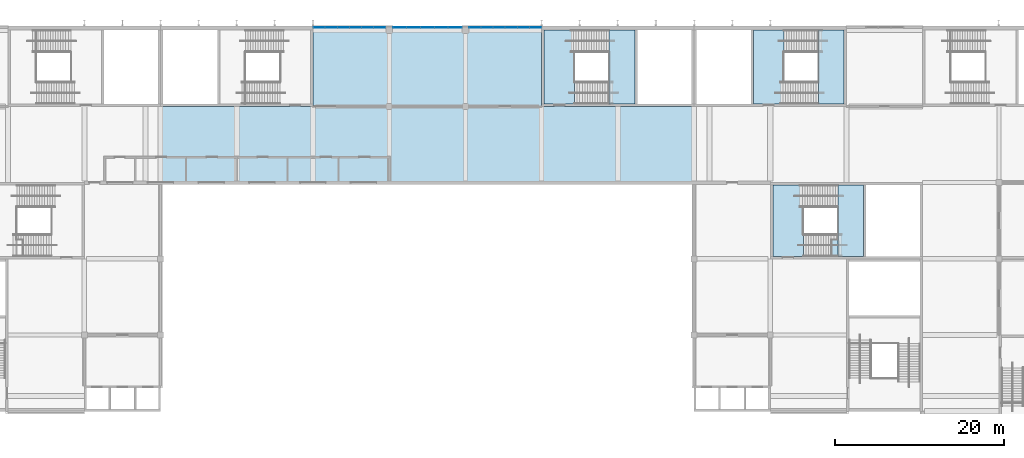
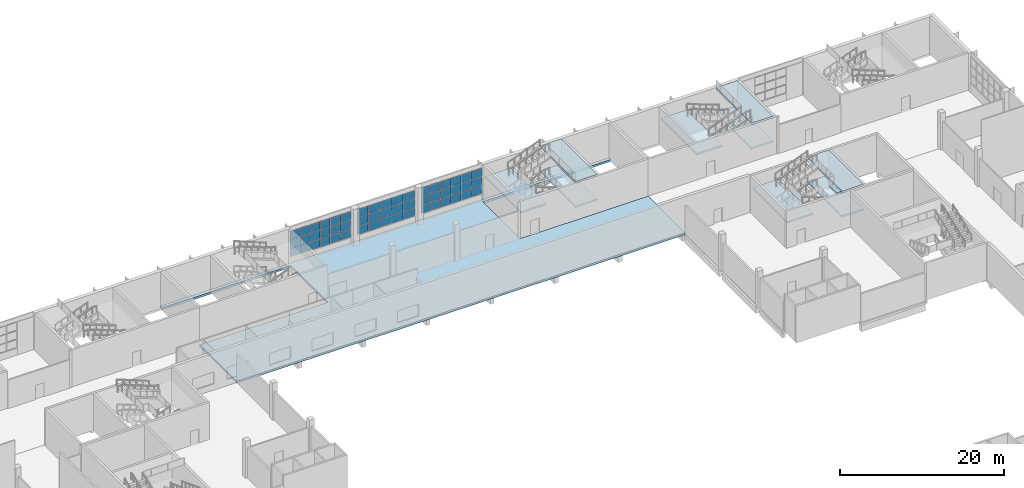
# One storey, part 29 of 84: 51 plates, 11 slabs, 6 elements without a shape of their own.
"""IFC4 building model written with IfcOpenShell, lengths in metres."""

import ifcopenshell
import ifcopenshell.guid

model = None  # the IFC model being written
_history = None  # IfcOwnerHistory: only IFC2X3 demands one
_inside = {}  # id of a spatial element -> (the spatial element, [elements in it])
_under = {}  # id of a project, library or spatial element -> (it, [spatial elements below it])
_declared = {}  # id of a project -> (the project, [libraries it declares])
_typed = {}  # id of a type object -> (the type object, [elements of that type])
_made_of = {}  # id of a material, layer set ... -> (it, [elements and type objects made of it])


def new_model(schema):
    """Start an empty IFC model of exactly this schema.

    Asked for "IFC4X3", IfcOpenShell would pick the latest addendum, in which some entities
    have other attributes; the version numbers below select the first issue.
    IFC2X3 requires an IfcOwnerHistory on every rooted entity: one is made here for all.
    """
    global model, _history
    if schema == "IFC4X3":
        model = ifcopenshell.file(schema_version=(4, 3, 0, 0))
    else:
        model = ifcopenshell.file(schema=schema)
    _inside.clear()
    _under.clear()
    _declared.clear()
    _typed.clear()
    _made_of.clear()
    _history = None
    if model.schema == "IFC2X3":
        org = make("IfcOrganization", Name="unknown")
        user = make(
            "IfcPersonAndOrganization",
            ThePerson=make("IfcPerson", FamilyName="unknown"),
            TheOrganization=org,
        )
        app = make(
            "IfcApplication",
            ApplicationDeveloper=org,
            Version="unknown",
            ApplicationFullName="unknown",
            ApplicationIdentifier="unknown",
        )
        _history = make(
            "IfcOwnerHistory",
            OwningUser=user,
            OwningApplication=app,
            ChangeAction="ADDED",
            CreationDate=0,
        )
    return model


def make(cls, **values):
    """One entity of the class cls with the attributes given. An attribute that is None is left unset."""
    return model.create_entity(
        cls, **{name: value for name, value in values.items() if value is not None}
    )


def rooted(cls, **values):
    """An entity with a GlobalId (a new one), such as an element, a storey or a relation."""
    return make(cls, GlobalId=ifcopenshell.guid.new(), OwnerHistory=_history, **values)


def si_unit(unit_type, name, prefix=None):
    """IfcSIUnit, for example si_unit("LENGTHUNIT", "METRE", prefix="MILLI")."""
    return make("IfcSIUnit", UnitType=unit_type, Prefix=prefix, Name=name)


def assignment(units):
    """IfcUnitAssignment: the units of a project."""
    return None if units is None else make("IfcUnitAssignment", Units=units)


def point(xyz):
    """IfcCartesianPoint."""
    return None if xyz is None else make("IfcCartesianPoint", Coordinates=xyz)


def direction(xyz):
    """IfcDirection."""
    return None if xyz is None else make("IfcDirection", DirectionRatios=xyz)


def frame(location, z_axis=None, x_axis=None):
    """IfcAxis2Placement3D, a coordinate frame: its origin and axes. An axis left out is left unset."""
    return make(
        "IfcAxis2Placement3D",
        Location=point(location),
        Axis=direction(z_axis),
        RefDirection=direction(x_axis),
    )


def frame_2d(location, x_axis=None):
    """IfcAxis2Placement2D, a coordinate frame in the plane: its origin and x axis."""
    return make(
        "IfcAxis2Placement2D", Location=point(location), RefDirection=direction(x_axis)
    )


def origin():
    """The frame at (0, 0, 0) with its axes left unset."""
    return frame((0.0, 0.0, 0.0))


def origin_2d():
    """The frame at (0, 0) in the plane with its x axis left unset."""
    return frame_2d((0.0, 0.0))


def place(relative_to, where):
    """IfcLocalPlacement: puts the frame where relative to a parent placement (None: the world)."""
    return make(
        "IfcLocalPlacement", PlacementRelTo=relative_to, RelativePlacement=where
    )


def context(
    kind, dimensions, precision=None, world=None, true_north=None, identifier=None
):
    """IfcGeometricRepresentationContext, for example the 3D "Model" context."""
    return make(
        "IfcGeometricRepresentationContext",
        ContextIdentifier=identifier,
        ContextType=kind,
        CoordinateSpaceDimension=dimensions,
        Precision=precision,
        WorldCoordinateSystem=world,
        TrueNorth=true_north,
    )


def subcontext(parent, identifier, kind, view, scale=None):
    """IfcGeometricRepresentationSubContext, for example "Body" below "Model"."""
    return make(
        "IfcGeometricRepresentationSubContext",
        ContextIdentifier=identifier,
        ContextType=kind,
        ParentContext=parent,
        TargetScale=scale,
        TargetView=view,
    )


def project(units=None, contexts=None):
    """IfcProject with its units and contexts."""
    return rooted(
        "IfcProject",
        Name="project",
        RepresentationContexts=contexts,
        UnitsInContext=assignment(units),
    )


def spatial(cls, under=None, at=None, **own):
    """A site, building, storey or space (cls), placed at a placement, below another one or the project."""
    s = rooted(cls, ObjectPlacement=at, **own)
    if under is not None:
        _under.setdefault(under.id(), (under, []))[1].append(s)
    return s


def polyline(points):
    """IfcPolyline through the points."""
    return make("IfcPolyline", Points=[point(p) for p in points])


def profile(cls, at=None, kind="AREA", **sizes):
    """A parametric profile (cls). Its sizes go by their IFC names, for example OverallWidth=200.0."""
    return make(cls, ProfileType=kind, Position=at, **sizes)


def rectangle(**sizes):
    """IfcRectangleProfileDef."""
    return profile("IfcRectangleProfileDef", **sizes)


def outline(outer, holes=None, kind="AREA"):
    """IfcArbitraryClosedProfileDef: a profile drawn as a closed curve; with holes, ...WithVoids."""
    if holes is None:
        return make("IfcArbitraryClosedProfileDef", ProfileType=kind, OuterCurve=outer)
    return make(
        "IfcArbitraryProfileDefWithVoids",
        ProfileType=kind,
        OuterCurve=outer,
        InnerCurves=holes,
    )


def extrude(swept, where, along, depth):
    """IfcExtrudedAreaSolid: the profile swept, set in the frame where, extruded along a direction by depth."""
    return make(
        "IfcExtrudedAreaSolid",
        SweptArea=swept,
        Position=where,
        ExtrudedDirection=direction(along),
        Depth=depth,
    )


def shape(context_of_items, identifier, shape_type, items):
    """IfcShapeRepresentation: the items that make up one representation, for example the "Body"."""
    return make(
        "IfcShapeRepresentation",
        ContextOfItems=context_of_items,
        RepresentationIdentifier=identifier,
        RepresentationType=shape_type,
        Items=items,
    )


def material(Name=None, Category=None):
    """IfcMaterial."""
    return make("IfcMaterial", Name=Name, Category=Category)


def layer(
    of_material, thickness, ventilated=None, Name=None, Category=None, Priority=None
):
    """IfcMaterialLayer: one layer of a wall or slab, of a material (None: an air gap)."""
    return make(
        "IfcMaterialLayer",
        Material=of_material,
        LayerThickness=thickness,
        IsVentilated=ventilated,
        Name=Name,
        Category=Category,
        Priority=Priority,
    )


def layer_set(layers, Name=None):
    """IfcMaterialLayerSet."""
    return make("IfcMaterialLayerSet", MaterialLayers=layers, LayerSetName=Name)


def made_of(thing, what):
    """Note that an element or type object is made of a material, layer set ...; save() writes the relation."""
    if what is not None:
        _made_of.setdefault(what.id(), (what, []))[1].append(thing)
    return thing


def type_object(cls, material=None, **own):
    """A type object (cls), such as IfcWallType, which elements share."""
    return made_of(rooted(cls, **own), material)


def element(
    cls,
    number,
    at=None,
    inside=None,
    cuts=None,
    type_object=None,
    material=None,
    context=None,
    identifier="Body",
    shape_type=None,
    held_by="IfcProductDefinitionShape",
    body=None,
    shapes=None,
    **own,
):
    """One element of the class cls, such as IfcWall. Its Tag is "e" and its number.

    at: its placement. inside: the storey or other place that contains it. cuts: it is an
    opening in that element (IfcRelVoidsElement). A single representation is given by context,
    identifier, shape_type and body (its items); several are given by shapes. held_by: the class
    of the entity that holds the representations. save() writes the other relations.
    """
    e = rooted(cls, Tag="e%d" % number, ObjectPlacement=at, **own)
    if body is not None:
        shapes = [shape(context, identifier, shape_type, body)]
    if shapes is not None:
        e.Representation = make(held_by, Representations=shapes)
    if inside is not None:
        _inside.setdefault(inside.id(), (inside, []))[1].append(e)
    if cuts is not None:
        rooted(
            "IfcRelVoidsElement", RelatingBuildingElement=cuts, RelatedOpeningElement=e
        )
    if type_object is not None:
        _typed.setdefault(type_object.id(), (type_object, []))[1].append(e)
    return made_of(e, material)


def aggregate(whole, parts):
    """IfcRelAggregates: a whole, such as a stair, and the parts it consists of."""
    return rooted("IfcRelAggregates", RelatingObject=whole, RelatedObjects=parts)


def save(model, path):
    """Write the relations noted so far, then the file.

    IfcRelAggregates (storeys below a building ...), IfcRelContainedInSpatialStructure (elements
    in a storey), IfcRelDefinesByType, IfcRelAssociatesMaterial and IfcRelDeclares: one each for
    every whole, place, type object, material and project.
    """
    for whole, parts in _under.values():
        aggregate(whole, parts)
    for where, things in _inside.values():
        rooted(
            "IfcRelContainedInSpatialStructure",
            RelatedElements=things,
            RelatingStructure=where,
        )
    for kind, things in _typed.values():
        rooted("IfcRelDefinesByType", RelatedObjects=things, RelatingType=kind)
    for what, things in _made_of.values():
        rooted("IfcRelAssociatesMaterial", RelatedObjects=things, RelatingMaterial=what)
    for by, libraries in _declared.values():
        rooted("IfcRelDeclares", RelatingContext=by, RelatedDefinitions=libraries)
    model.write(path)


model = new_model("IFC4")

# Units and contexts
model_context = context("Model", 3, precision=1e-05, world=origin(), true_north=direction((0.0, 1.0)))
body_context = subcontext(model_context, "Body", "Model", "MODEL_VIEW")
ifc_project = project(units=[si_unit("LENGTHUNIT", "METRE"), si_unit("AREAUNIT", "SQUARE_METRE"), si_unit("VOLUMEUNIT", "CUBIC_METRE"), si_unit("PLANEANGLEUNIT", "RADIAN"), si_unit("MASSUNIT", "GRAM", prefix="KILO")], contexts=[model_context])

# Site, building, storey
site_placement = place(None, origin())
site = spatial("IfcSite", under=ifc_project, at=site_placement, CompositionType="ELEMENT")
building_placement = place(site_placement, origin())
building = spatial("IfcBuilding", under=site, at=building_placement, Name="Silverbay Arena", CompositionType="ELEMENT")
storey_placement = place(building_placement, frame((0.0, 0.0, 28.0)))
storey = spatial("IfcBuildingStorey", under=building, at=storey_placement, Name="L04", CompositionType="ELEMENT", Elevation=28.0)

# Curtain wall, plates
ifc_material_1 = material(Name="Aluminium framed curtain wall", Category="aluminium")
curtain_wall_type_1 = type_object("IfcCurtainWallType", Name="Curtain wall 8600 x 3900", PredefinedType="NOTDEFINED", material=ifc_material_1)
curtain_wall_1_placement = place(storey_placement, origin())
curtain_wall_1 = element("IfcCurtainWall", 1, at=curtain_wall_1_placement, inside=storey, type_object=curtain_wall_type_1, Name="North curtain wall L04 bay 8", PredefinedType="NOTDEFINED")
ifc_material_2 = material(Name="Laminated glass", Category="glass")
ifc_layer_1 = layer(ifc_material_2, 0.028076171875)
ifc_layer_set_1 = layer_set([ifc_layer_1], Name="Laminated glass")
plate_type = type_object("IfcPlateType", Name="Glass panel 28", PredefinedType="CURTAIN_PANEL", material=ifc_layer_set_1)
plate_1_placement = place(storey_placement, frame((124.868408203125, 144.330078125, 1.050048828125), z_axis=(0.0, 0.0, 1.0), x_axis=(-1.0, 0.0, 0.0)))
plate_1 = element("IfcPlate", 2, at=plate_1_placement, type_object=plate_type, Name="CW1 panel 1.1", PredefinedType="CURTAIN_PANEL", context=body_context, shape_type="SweptSolid", body=[
    extrude(rectangle(XDim=1.34326171875, YDim=0.028076171875, at=origin_2d()), origin(), (0.0, 0.0, 1.0), 1.22509765625),
])
plate_2_placement = place(storey_placement, frame((124.868408203125, 144.330078125, 2.324951171875), z_axis=(0.0, 0.0, 1.0), x_axis=(-1.0, 0.0, 0.0)))
plate_2 = element("IfcPlate", 3, at=plate_2_placement, type_object=plate_type, Name="CW1 panel 1.2", PredefinedType="CURTAIN_PANEL", context=body_context, shape_type="SweptSolid", body=[
    extrude(rectangle(XDim=1.34326171875, YDim=0.028076171875, at=origin_2d()), origin(), (0.0, 0.0, 1.0), 1.25),
])
plate_3_placement = place(storey_placement, frame((124.868408203125, 144.330078125, 3.625), z_axis=(0.0, 0.0, 1.0), x_axis=(-1.0, 0.0, 0.0)))
plate_3 = element("IfcPlate", 4, at=plate_3_placement, type_object=plate_type, Name="CW1 panel 1.3", PredefinedType="CURTAIN_PANEL", context=body_context, shape_type="SweptSolid", body=[
    extrude(rectangle(XDim=1.34326171875, YDim=0.028076171875, at=origin_2d()), origin(), (0.0, 0.0, 1.0), 1.22509765625),
])
plate_4_placement = place(storey_placement, frame((123.449951171875, 144.330078125, 1.050048828125), z_axis=(0.0, 0.0, 1.0), x_axis=(-1.0, 0.0, 0.0)))
plate_4 = element("IfcPlate", 5, at=plate_4_placement, type_object=plate_type, Name="CW1 panel 2.1", PredefinedType="CURTAIN_PANEL", context=body_context, shape_type="SweptSolid", body=[
    extrude(rectangle(XDim=1.373291015625, YDim=0.028076171875, at=origin_2d()), origin(), (0.0, 0.0, 1.0), 1.22509765625),
])
plate_5_placement = place(storey_placement, frame((123.449951171875, 144.330078125, 2.324951171875), z_axis=(0.0, 0.0, 1.0), x_axis=(-1.0, 0.0, 0.0)))
plate_5 = element("IfcPlate", 6, at=plate_5_placement, type_object=plate_type, Name="CW1 panel 2.2", PredefinedType="CURTAIN_PANEL", context=body_context, shape_type="SweptSolid", body=[
    extrude(rectangle(XDim=1.373291015625, YDim=0.028076171875, at=origin_2d()), origin(), (0.0, 0.0, 1.0), 1.25),
])
plate_6_placement = place(storey_placement, frame((123.449951171875, 144.330078125, 3.625), z_axis=(0.0, 0.0, 1.0), x_axis=(-1.0, 0.0, 0.0)))
plate_6 = element("IfcPlate", 7, at=plate_6_placement, type_object=plate_type, Name="CW1 panel 2.3", PredefinedType="CURTAIN_PANEL", context=body_context, shape_type="SweptSolid", body=[
    extrude(rectangle(XDim=1.373291015625, YDim=0.028076171875, at=origin_2d()), origin(), (0.0, 0.0, 1.0), 1.22509765625),
])
plate_7_placement = place(storey_placement, frame((122.0166015625, 144.330078125, 1.050048828125), z_axis=(0.0, 0.0, 1.0), x_axis=(-1.0, 0.0, 0.0)))
plate_7 = element("IfcPlate", 8, at=plate_7_placement, type_object=plate_type, Name="CW1 panel 3.1", PredefinedType="CURTAIN_PANEL", context=body_context, shape_type="SweptSolid", body=[
    extrude(rectangle(XDim=1.373291015625, YDim=0.028076171875, at=origin_2d()), origin(), (0.0, 0.0, 1.0), 1.22509765625),
])
plate_8_placement = place(storey_placement, frame((122.0166015625, 144.330078125, 2.324951171875), z_axis=(0.0, 0.0, 1.0), x_axis=(-1.0, 0.0, 0.0)))
plate_8 = element("IfcPlate", 9, at=plate_8_placement, type_object=plate_type, Name="CW1 panel 3.2", PredefinedType="CURTAIN_PANEL", context=body_context, shape_type="SweptSolid", body=[
    extrude(rectangle(XDim=1.373291015625, YDim=0.028076171875, at=origin_2d()), origin(), (0.0, 0.0, 1.0), 1.25),
])
plate_9_placement = place(storey_placement, frame((122.0166015625, 144.330078125, 3.625), z_axis=(0.0, 0.0, 1.0), x_axis=(-1.0, 0.0, 0.0)))
plate_9 = element("IfcPlate", 10, at=plate_9_placement, type_object=plate_type, Name="CW1 panel 3.3", PredefinedType="CURTAIN_PANEL", context=body_context, shape_type="SweptSolid", body=[
    extrude(rectangle(XDim=1.373291015625, YDim=0.028076171875, at=origin_2d()), origin(), (0.0, 0.0, 1.0), 1.22509765625),
])
plate_10_placement = place(storey_placement, frame((120.583251953125, 144.330078125, 1.050048828125), z_axis=(0.0, 0.0, 1.0), x_axis=(-1.0, 0.0, 0.0)))
plate_10 = element("IfcPlate", 11, at=plate_10_placement, type_object=plate_type, Name="CW1 panel 4.1", PredefinedType="CURTAIN_PANEL", context=body_context, shape_type="SweptSolid", body=[
    extrude(rectangle(XDim=1.373291015625, YDim=0.028076171875, at=origin_2d()), origin(), (0.0, 0.0, 1.0), 1.22509765625),
])
plate_11_placement = place(storey_placement, frame((120.583251953125, 144.330078125, 2.324951171875), z_axis=(0.0, 0.0, 1.0), x_axis=(-1.0, 0.0, 0.0)))
plate_11 = element("IfcPlate", 12, at=plate_11_placement, type_object=plate_type, Name="CW1 panel 4.2", PredefinedType="CURTAIN_PANEL", context=body_context, shape_type="SweptSolid", body=[
    extrude(rectangle(XDim=1.373291015625, YDim=0.028076171875, at=origin_2d()), origin(), (0.0, 0.0, 1.0), 1.25),
])
plate_12_placement = place(storey_placement, frame((120.583251953125, 144.330078125, 3.625), z_axis=(0.0, 0.0, 1.0), x_axis=(-1.0, 0.0, 0.0)))
plate_12 = element("IfcPlate", 13, at=plate_12_placement, type_object=plate_type, Name="CW1 panel 4.3", PredefinedType="CURTAIN_PANEL", context=body_context, shape_type="SweptSolid", body=[
    extrude(rectangle(XDim=1.373291015625, YDim=0.028076171875, at=origin_2d()), origin(), (0.0, 0.0, 1.0), 1.22509765625),
])
plate_13_placement = place(storey_placement, frame((119.14990234375, 144.330078125, 1.050048828125), z_axis=(0.0, 0.0, 1.0), x_axis=(-1.0, 0.0, 0.0)))
plate_13 = element("IfcPlate", 14, at=plate_13_placement, type_object=plate_type, Name="CW1 panel 5.1", PredefinedType="CURTAIN_PANEL", context=body_context, shape_type="SweptSolid", body=[
    extrude(rectangle(XDim=1.373291015625, YDim=0.028076171875, at=origin_2d()), origin(), (0.0, 0.0, 1.0), 1.22509765625),
])
plate_14_placement = place(storey_placement, frame((119.14990234375, 144.330078125, 2.324951171875), z_axis=(0.0, 0.0, 1.0), x_axis=(-1.0, 0.0, 0.0)))
plate_14 = element("IfcPlate", 15, at=plate_14_placement, type_object=plate_type, Name="CW1 panel 5.2", PredefinedType="CURTAIN_PANEL", context=body_context, shape_type="SweptSolid", body=[
    extrude(rectangle(XDim=1.373291015625, YDim=0.028076171875, at=origin_2d()), origin(), (0.0, 0.0, 1.0), 1.25),
])
plate_15_placement = place(storey_placement, frame((119.14990234375, 144.330078125, 3.625), z_axis=(0.0, 0.0, 1.0), x_axis=(-1.0, 0.0, 0.0)))
plate_15 = element("IfcPlate", 16, at=plate_15_placement, type_object=plate_type, Name="CW1 panel 5.3", PredefinedType="CURTAIN_PANEL", context=body_context, shape_type="SweptSolid", body=[
    extrude(rectangle(XDim=1.373291015625, YDim=0.028076171875, at=origin_2d()), origin(), (0.0, 0.0, 1.0), 1.22509765625),
])
plate_16_placement = place(storey_placement, frame((117.731689453125, 144.330078125, 1.050048828125), z_axis=(0.0, 0.0, 1.0), x_axis=(-1.0, 0.0, 0.0)))
plate_16 = element("IfcPlate", 17, at=plate_16_placement, type_object=plate_type, Name="CW1 panel 6.1", PredefinedType="CURTAIN_PANEL", context=body_context, shape_type="SweptSolid", body=[
    extrude(rectangle(XDim=1.34326171875, YDim=0.028076171875, at=origin_2d()), origin(), (0.0, 0.0, 1.0), 1.22509765625),
])
plate_17_placement = place(storey_placement, frame((117.731689453125, 144.330078125, 2.324951171875), z_axis=(0.0, 0.0, 1.0), x_axis=(-1.0, 0.0, 0.0)))
plate_17 = element("IfcPlate", 18, at=plate_17_placement, type_object=plate_type, Name="CW1 panel 6.2", PredefinedType="CURTAIN_PANEL", context=body_context, shape_type="SweptSolid", body=[
    extrude(rectangle(XDim=1.34326171875, YDim=0.028076171875, at=origin_2d()), origin(), (0.0, 0.0, 1.0), 1.25),
])
plate_18_placement = place(storey_placement, frame((117.731689453125, 144.330078125, 3.625), z_axis=(0.0, 0.0, 1.0), x_axis=(-1.0, 0.0, 0.0)))
plate_18 = element("IfcPlate", 19, at=plate_18_placement, type_object=plate_type, Name="CW1 panel 6.3", PredefinedType="CURTAIN_PANEL", context=body_context, shape_type="SweptSolid", body=[
    extrude(rectangle(XDim=1.34326171875, YDim=0.028076171875, at=origin_2d()), origin(), (0.0, 0.0, 1.0), 1.22509765625),
])
aggregate(curtain_wall_1, [plate_1, plate_2, plate_3, plate_4, plate_5, plate_6, plate_7, plate_8, plate_9, plate_10, plate_11, plate_12, plate_13, plate_14, plate_15, plate_16, plate_17, plate_18])

ifc_material_3 = material(Name="Aluminium framed curtain wall", Category="aluminium")
curtain_wall_type_2 = type_object("IfcCurtainWallType", Name="Curtain wall 8200 x 3900", PredefinedType="NOTDEFINED", material=ifc_material_3)
curtain_wall_2_placement = place(storey_placement, origin())
curtain_wall_2 = element("IfcCurtainWall", 20, at=curtain_wall_2_placement, inside=storey, type_object=curtain_wall_type_2, Name="North curtain wall L04 bay 9", PredefinedType="NOTDEFINED")
plate_19_placement = place(storey_placement, frame((133.764892578125, 144.330078125, 1.050048828125), z_axis=(0.0, 0.0, 1.0), x_axis=(-1.0, 0.0, 0.0)))
plate_19 = element("IfcPlate", 21, at=plate_19_placement, type_object=plate_type, Name="CW16 panel 1.1", PredefinedType="CURTAIN_PANEL", context=body_context, shape_type="SweptSolid", body=[
    extrude(rectangle(XDim=1.550048828125, YDim=0.028076171875, at=origin_2d()), origin(), (0.0, 0.0, 1.0), 1.22509765625),
])
plate_20_placement = place(storey_placement, frame((133.764892578125, 144.330078125, 2.324951171875), z_axis=(0.0, 0.0, 1.0), x_axis=(-1.0, 0.0, 0.0)))
plate_20 = element("IfcPlate", 22, at=plate_20_placement, type_object=plate_type, Name="CW16 panel 1.2", PredefinedType="CURTAIN_PANEL", context=body_context, shape_type="SweptSolid", body=[
    extrude(rectangle(XDim=1.550048828125, YDim=0.028076171875, at=origin_2d()), origin(), (0.0, 0.0, 1.0), 1.25),
])
plate_21_placement = place(storey_placement, frame((133.764892578125, 144.330078125, 3.625), z_axis=(0.0, 0.0, 1.0), x_axis=(-1.0, 0.0, 0.0)))
plate_21 = element("IfcPlate", 23, at=plate_21_placement, type_object=plate_type, Name="CW16 panel 1.3", PredefinedType="CURTAIN_PANEL", context=body_context, shape_type="SweptSolid", body=[
    extrude(rectangle(XDim=1.550048828125, YDim=0.028076171875, at=origin_2d()), origin(), (0.0, 0.0, 1.0), 1.22509765625),
])
plate_22_placement = place(storey_placement, frame((132.139892578125, 144.330078125, 1.050048828125), z_axis=(0.0, 0.0, 1.0), x_axis=(-1.0, 0.0, 0.0)))
plate_22 = element("IfcPlate", 24, at=plate_22_placement, type_object=plate_type, Name="CW16 panel 2.1", PredefinedType="CURTAIN_PANEL", context=body_context, shape_type="SweptSolid", body=[
    extrude(rectangle(XDim=1.580078125, YDim=0.028076171875, at=origin_2d()), origin(), (0.0, 0.0, 1.0), 1.22509765625),
])
plate_23_placement = place(storey_placement, frame((132.139892578125, 144.330078125, 2.324951171875), z_axis=(0.0, 0.0, 1.0), x_axis=(-1.0, 0.0, 0.0)))
plate_23 = element("IfcPlate", 25, at=plate_23_placement, type_object=plate_type, Name="CW16 panel 2.2", PredefinedType="CURTAIN_PANEL", context=body_context, shape_type="SweptSolid", body=[
    extrude(rectangle(XDim=1.580078125, YDim=0.028076171875, at=origin_2d()), origin(), (0.0, 0.0, 1.0), 1.25),
])
plate_24_placement = place(storey_placement, frame((132.139892578125, 144.330078125, 3.625), z_axis=(0.0, 0.0, 1.0), x_axis=(-1.0, 0.0, 0.0)))
plate_24 = element("IfcPlate", 26, at=plate_24_placement, type_object=plate_type, Name="CW16 panel 2.3", PredefinedType="CURTAIN_PANEL", context=body_context, shape_type="SweptSolid", body=[
    extrude(rectangle(XDim=1.580078125, YDim=0.028076171875, at=origin_2d()), origin(), (0.0, 0.0, 1.0), 1.22509765625),
])
plate_25_placement = place(storey_placement, frame((130.5, 144.330078125, 1.050048828125), z_axis=(0.0, 0.0, 1.0), x_axis=(-1.0, 0.0, 0.0)))
plate_25 = element("IfcPlate", 27, at=plate_25_placement, type_object=plate_type, Name="CW16 panel 3.1", PredefinedType="CURTAIN_PANEL", context=body_context, shape_type="SweptSolid", body=[
    extrude(rectangle(XDim=1.580078125, YDim=0.028076171875, at=origin_2d()), origin(), (0.0, 0.0, 1.0), 1.22509765625),
])
plate_26_placement = place(storey_placement, frame((130.5, 144.330078125, 2.324951171875), z_axis=(0.0, 0.0, 1.0), x_axis=(-1.0, 0.0, 0.0)))
plate_26 = element("IfcPlate", 28, at=plate_26_placement, type_object=plate_type, Name="CW16 panel 3.2", PredefinedType="CURTAIN_PANEL", context=body_context, shape_type="SweptSolid", body=[
    extrude(rectangle(XDim=1.580078125, YDim=0.028076171875, at=origin_2d()), origin(), (0.0, 0.0, 1.0), 1.25),
])
plate_27_placement = place(storey_placement, frame((130.5, 144.330078125, 3.625), z_axis=(0.0, 0.0, 1.0), x_axis=(-1.0, 0.0, 0.0)))
plate_27 = element("IfcPlate", 29, at=plate_27_placement, type_object=plate_type, Name="CW16 panel 3.3", PredefinedType="CURTAIN_PANEL", context=body_context, shape_type="SweptSolid", body=[
    extrude(rectangle(XDim=1.580078125, YDim=0.028076171875, at=origin_2d()), origin(), (0.0, 0.0, 1.0), 1.22509765625),
])
plate_28_placement = place(storey_placement, frame((128.860107421875, 144.330078125, 1.050048828125), z_axis=(0.0, 0.0, 1.0), x_axis=(-1.0, 0.0, 0.0)))
plate_28 = element("IfcPlate", 30, at=plate_28_placement, type_object=plate_type, Name="CW16 panel 4.1", PredefinedType="CURTAIN_PANEL", context=body_context, shape_type="SweptSolid", body=[
    extrude(rectangle(XDim=1.580078125, YDim=0.028076171875, at=origin_2d()), origin(), (0.0, 0.0, 1.0), 1.22509765625),
])
plate_29_placement = place(storey_placement, frame((128.860107421875, 144.330078125, 2.324951171875), z_axis=(0.0, 0.0, 1.0), x_axis=(-1.0, 0.0, 0.0)))
plate_29 = element("IfcPlate", 31, at=plate_29_placement, type_object=plate_type, Name="CW16 panel 4.2", PredefinedType="CURTAIN_PANEL", context=body_context, shape_type="SweptSolid", body=[
    extrude(rectangle(XDim=1.580078125, YDim=0.028076171875, at=origin_2d()), origin(), (0.0, 0.0, 1.0), 1.25),
])
plate_30_placement = place(storey_placement, frame((128.860107421875, 144.330078125, 3.625), z_axis=(0.0, 0.0, 1.0), x_axis=(-1.0, 0.0, 0.0)))
plate_30 = element("IfcPlate", 32, at=plate_30_placement, type_object=plate_type, Name="CW16 panel 4.3", PredefinedType="CURTAIN_PANEL", context=body_context, shape_type="SweptSolid", body=[
    extrude(rectangle(XDim=1.580078125, YDim=0.028076171875, at=origin_2d()), origin(), (0.0, 0.0, 1.0), 1.22509765625),
])
plate_31_placement = place(storey_placement, frame((127.235107421875, 144.330078125, 1.050048828125), z_axis=(0.0, 0.0, 1.0), x_axis=(-1.0, 0.0, 0.0)))
plate_31 = element("IfcPlate", 33, at=plate_31_placement, type_object=plate_type, Name="CW16 panel 5.1", PredefinedType="CURTAIN_PANEL", context=body_context, shape_type="SweptSolid", body=[
    extrude(rectangle(XDim=1.550048828125, YDim=0.028076171875, at=origin_2d()), origin(), (0.0, 0.0, 1.0), 1.22509765625),
])
plate_32_placement = place(storey_placement, frame((127.235107421875, 144.330078125, 2.324951171875), z_axis=(0.0, 0.0, 1.0), x_axis=(-1.0, 0.0, 0.0)))
plate_32 = element("IfcPlate", 34, at=plate_32_placement, type_object=plate_type, Name="CW16 panel 5.2", PredefinedType="CURTAIN_PANEL", context=body_context, shape_type="SweptSolid", body=[
    extrude(rectangle(XDim=1.550048828125, YDim=0.028076171875, at=origin_2d()), origin(), (0.0, 0.0, 1.0), 1.25),
])
plate_33_placement = place(storey_placement, frame((127.235107421875, 144.330078125, 3.625), z_axis=(0.0, 0.0, 1.0), x_axis=(-1.0, 0.0, 0.0)))
plate_33 = element("IfcPlate", 35, at=plate_33_placement, type_object=plate_type, Name="CW16 panel 5.3", PredefinedType="CURTAIN_PANEL", context=body_context, shape_type="SweptSolid", body=[
    extrude(rectangle(XDim=1.550048828125, YDim=0.028076171875, at=origin_2d()), origin(), (0.0, 0.0, 1.0), 1.22509765625),
])
aggregate(curtain_wall_2, [plate_19, plate_20, plate_21, plate_22, plate_23, plate_24, plate_25, plate_26, plate_27, plate_28, plate_29, plate_30, plate_31, plate_32, plate_33])

curtain_wall_3_placement = place(storey_placement, origin())
curtain_wall_3 = element("IfcCurtainWall", 36, at=curtain_wall_3_placement, inside=storey, type_object=curtain_wall_type_1, Name="North curtain wall L04 bay 10", PredefinedType="NOTDEFINED")
plate_34_placement = place(storey_placement, frame((143.268310546875, 144.330078125, 1.050048828125), z_axis=(0.0, 0.0, 1.0), x_axis=(-1.0, 0.0, 0.0)))
plate_34 = element("IfcPlate", 37, at=plate_34_placement, type_object=plate_type, Name="CW1 panel 1.1", PredefinedType="CURTAIN_PANEL", context=body_context, shape_type="SweptSolid", body=[
    extrude(rectangle(XDim=1.34326171875, YDim=0.028076171875, at=origin_2d()), origin(), (0.0, 0.0, 1.0), 1.22509765625),
])
plate_35_placement = place(storey_placement, frame((143.268310546875, 144.330078125, 2.324951171875), z_axis=(0.0, 0.0, 1.0), x_axis=(-1.0, 0.0, 0.0)))
plate_35 = element("IfcPlate", 38, at=plate_35_placement, type_object=plate_type, Name="CW1 panel 1.2", PredefinedType="CURTAIN_PANEL", context=body_context, shape_type="SweptSolid", body=[
    extrude(rectangle(XDim=1.34326171875, YDim=0.028076171875, at=origin_2d()), origin(), (0.0, 0.0, 1.0), 1.25),
])
plate_36_placement = place(storey_placement, frame((143.268310546875, 144.330078125, 3.625), z_axis=(0.0, 0.0, 1.0), x_axis=(-1.0, 0.0, 0.0)))
plate_36 = element("IfcPlate", 39, at=plate_36_placement, type_object=plate_type, Name="CW1 panel 1.3", PredefinedType="CURTAIN_PANEL", context=body_context, shape_type="SweptSolid", body=[
    extrude(rectangle(XDim=1.34326171875, YDim=0.028076171875, at=origin_2d()), origin(), (0.0, 0.0, 1.0), 1.22509765625),
])
plate_37_placement = place(storey_placement, frame((141.85009765625, 144.330078125, 1.050048828125), z_axis=(0.0, 0.0, 1.0), x_axis=(-1.0, 0.0, 0.0)))
plate_37 = element("IfcPlate", 40, at=plate_37_placement, type_object=plate_type, Name="CW1 panel 2.1", PredefinedType="CURTAIN_PANEL", context=body_context, shape_type="SweptSolid", body=[
    extrude(rectangle(XDim=1.373291015625, YDim=0.028076171875, at=origin_2d()), origin(), (0.0, 0.0, 1.0), 1.22509765625),
])
plate_38_placement = place(storey_placement, frame((141.85009765625, 144.330078125, 2.324951171875), z_axis=(0.0, 0.0, 1.0), x_axis=(-1.0, 0.0, 0.0)))
plate_38 = element("IfcPlate", 41, at=plate_38_placement, type_object=plate_type, Name="CW1 panel 2.2", PredefinedType="CURTAIN_PANEL", context=body_context, shape_type="SweptSolid", body=[
    extrude(rectangle(XDim=1.373291015625, YDim=0.028076171875, at=origin_2d()), origin(), (0.0, 0.0, 1.0), 1.25),
])
plate_39_placement = place(storey_placement, frame((141.85009765625, 144.330078125, 3.625), z_axis=(0.0, 0.0, 1.0), x_axis=(-1.0, 0.0, 0.0)))
plate_39 = element("IfcPlate", 42, at=plate_39_placement, type_object=plate_type, Name="CW1 panel 2.3", PredefinedType="CURTAIN_PANEL", context=body_context, shape_type="SweptSolid", body=[
    extrude(rectangle(XDim=1.373291015625, YDim=0.028076171875, at=origin_2d()), origin(), (0.0, 0.0, 1.0), 1.22509765625),
])
plate_40_placement = place(storey_placement, frame((140.416748046875, 144.330078125, 1.050048828125), z_axis=(0.0, 0.0, 1.0), x_axis=(-1.0, 0.0, 0.0)))
plate_40 = element("IfcPlate", 43, at=plate_40_placement, type_object=plate_type, Name="CW1 panel 3.1", PredefinedType="CURTAIN_PANEL", context=body_context, shape_type="SweptSolid", body=[
    extrude(rectangle(XDim=1.373291015625, YDim=0.028076171875, at=origin_2d()), origin(), (0.0, 0.0, 1.0), 1.22509765625),
])
plate_41_placement = place(storey_placement, frame((140.416748046875, 144.330078125, 2.324951171875), z_axis=(0.0, 0.0, 1.0), x_axis=(-1.0, 0.0, 0.0)))
plate_41 = element("IfcPlate", 44, at=plate_41_placement, type_object=plate_type, Name="CW1 panel 3.2", PredefinedType="CURTAIN_PANEL", context=body_context, shape_type="SweptSolid", body=[
    extrude(rectangle(XDim=1.373291015625, YDim=0.028076171875, at=origin_2d()), origin(), (0.0, 0.0, 1.0), 1.25),
])
plate_42_placement = place(storey_placement, frame((140.416748046875, 144.330078125, 3.625), z_axis=(0.0, 0.0, 1.0), x_axis=(-1.0, 0.0, 0.0)))
plate_42 = element("IfcPlate", 45, at=plate_42_placement, type_object=plate_type, Name="CW1 panel 3.3", PredefinedType="CURTAIN_PANEL", context=body_context, shape_type="SweptSolid", body=[
    extrude(rectangle(XDim=1.373291015625, YDim=0.028076171875, at=origin_2d()), origin(), (0.0, 0.0, 1.0), 1.22509765625),
])
plate_43_placement = place(storey_placement, frame((138.9833984375, 144.330078125, 1.050048828125), z_axis=(0.0, 0.0, 1.0), x_axis=(-1.0, 0.0, 0.0)))
plate_43 = element("IfcPlate", 46, at=plate_43_placement, type_object=plate_type, Name="CW1 panel 4.1", PredefinedType="CURTAIN_PANEL", context=body_context, shape_type="SweptSolid", body=[
    extrude(rectangle(XDim=1.373291015625, YDim=0.028076171875, at=origin_2d()), origin(), (0.0, 0.0, 1.0), 1.22509765625),
])
plate_44_placement = place(storey_placement, frame((138.9833984375, 144.330078125, 2.324951171875), z_axis=(0.0, 0.0, 1.0), x_axis=(-1.0, 0.0, 0.0)))
plate_44 = element("IfcPlate", 47, at=plate_44_placement, type_object=plate_type, Name="CW1 panel 4.2", PredefinedType="CURTAIN_PANEL", context=body_context, shape_type="SweptSolid", body=[
    extrude(rectangle(XDim=1.373291015625, YDim=0.028076171875, at=origin_2d()), origin(), (0.0, 0.0, 1.0), 1.25),
])
plate_45_placement = place(storey_placement, frame((138.9833984375, 144.330078125, 3.625), z_axis=(0.0, 0.0, 1.0), x_axis=(-1.0, 0.0, 0.0)))
plate_45 = element("IfcPlate", 48, at=plate_45_placement, type_object=plate_type, Name="CW1 panel 4.3", PredefinedType="CURTAIN_PANEL", context=body_context, shape_type="SweptSolid", body=[
    extrude(rectangle(XDim=1.373291015625, YDim=0.028076171875, at=origin_2d()), origin(), (0.0, 0.0, 1.0), 1.22509765625),
])
plate_46_placement = place(storey_placement, frame((137.550048828125, 144.330078125, 1.050048828125), z_axis=(0.0, 0.0, 1.0), x_axis=(-1.0, 0.0, 0.0)))
plate_46 = element("IfcPlate", 49, at=plate_46_placement, type_object=plate_type, Name="CW1 panel 5.1", PredefinedType="CURTAIN_PANEL", context=body_context, shape_type="SweptSolid", body=[
    extrude(rectangle(XDim=1.373291015625, YDim=0.028076171875, at=origin_2d()), origin(), (0.0, 0.0, 1.0), 1.22509765625),
])
plate_47_placement = place(storey_placement, frame((137.550048828125, 144.330078125, 2.324951171875), z_axis=(0.0, 0.0, 1.0), x_axis=(-1.0, 0.0, 0.0)))
plate_47 = element("IfcPlate", 50, at=plate_47_placement, type_object=plate_type, Name="CW1 panel 5.2", PredefinedType="CURTAIN_PANEL", context=body_context, shape_type="SweptSolid", body=[
    extrude(rectangle(XDim=1.373291015625, YDim=0.028076171875, at=origin_2d()), origin(), (0.0, 0.0, 1.0), 1.25),
])
plate_48_placement = place(storey_placement, frame((137.550048828125, 144.330078125, 3.625), z_axis=(0.0, 0.0, 1.0), x_axis=(-1.0, 0.0, 0.0)))
plate_48 = element("IfcPlate", 51, at=plate_48_placement, type_object=plate_type, Name="CW1 panel 5.3", PredefinedType="CURTAIN_PANEL", context=body_context, shape_type="SweptSolid", body=[
    extrude(rectangle(XDim=1.373291015625, YDim=0.028076171875, at=origin_2d()), origin(), (0.0, 0.0, 1.0), 1.22509765625),
])
plate_49_placement = place(storey_placement, frame((136.131591796875, 144.330078125, 1.050048828125), z_axis=(0.0, 0.0, 1.0), x_axis=(-1.0, 0.0, 0.0)))
plate_49 = element("IfcPlate", 52, at=plate_49_placement, type_object=plate_type, Name="CW1 panel 6.1", PredefinedType="CURTAIN_PANEL", context=body_context, shape_type="SweptSolid", body=[
    extrude(rectangle(XDim=1.34326171875, YDim=0.028076171875, at=origin_2d()), origin(), (0.0, 0.0, 1.0), 1.22509765625),
])
plate_50_placement = place(storey_placement, frame((136.131591796875, 144.330078125, 2.324951171875), z_axis=(0.0, 0.0, 1.0), x_axis=(-1.0, 0.0, 0.0)))
plate_50 = element("IfcPlate", 53, at=plate_50_placement, type_object=plate_type, Name="CW1 panel 6.2", PredefinedType="CURTAIN_PANEL", context=body_context, shape_type="SweptSolid", body=[
    extrude(rectangle(XDim=1.34326171875, YDim=0.028076171875, at=origin_2d()), origin(), (0.0, 0.0, 1.0), 1.25),
])
plate_51_placement = place(storey_placement, frame((136.131591796875, 144.330078125, 3.625), z_axis=(0.0, 0.0, 1.0), x_axis=(-1.0, 0.0, 0.0)))
plate_51 = element("IfcPlate", 54, at=plate_51_placement, type_object=plate_type, Name="CW1 panel 6.3", PredefinedType="CURTAIN_PANEL", context=body_context, shape_type="SweptSolid", body=[
    extrude(rectangle(XDim=1.34326171875, YDim=0.028076171875, at=origin_2d()), origin(), (0.0, 0.0, 1.0), 1.22509765625),
])
aggregate(curtain_wall_3, [plate_34, plate_35, plate_36, plate_37, plate_38, plate_39, plate_40, plate_41, plate_42, plate_43, plate_44, plate_45, plate_46, plate_47, plate_48, plate_49, plate_50, plate_51])

# Slab
ifc_material_4 = material(Name="Concrete Grade C45", Category="concrete")
ifc_layer_2 = layer(ifc_material_4, 0.300048828125)
ifc_layer_set_2 = layer_set([ifc_layer_2], Name="Concrete Grade C45")
slab_type_1 = type_object("IfcSlabType", Name="RC floor slab 300", PredefinedType="FLOOR", material=ifc_layer_set_2)
slab_1_placement = place(storey_placement, frame((0.0, 0.0, -0.300048828125)))
element("IfcSlab", 55, at=slab_1_placement, inside=storey, type_object=slab_type_1, Name="Floor slab L04 unit 11", PredefinedType="FLOOR", context=body_context, shape_type="SweptSolid", body=[
    extrude(outline(polyline([(144.0, 144.0), (144.0, 135.0), (162.0, 135.0), (162.0, 126.02490234375), (99.0, 126.02490234375), (99.0, 135.0), (117.0, 135.0), (117.0, 144.0), (99.0, 144.0), (99.0, 144.5), (162.0, 144.5), (162.0, 144.0), (144.0, 144.0)])), origin(), (0.0, 0.0, 1.0), 0.300048828125),
])

# Stair, slab
ifc_material_5 = material(Name="Concrete Grade C45", Category="concrete")
stair_type = type_object("IfcStairType", Name="Stair 2600 wide 48 risers 114.6 x 300", PredefinedType="HALF_TURN_STAIR", material=ifc_material_5)
stair_1_placement = place(storey_placement, origin())
stair_1 = element("IfcStair", 56, at=stair_1_placement, inside=storey, type_object=stair_type, Name="Stair ST-NE1 L04 to L05", PredefinedType="HALF_TURN_STAIR")
ifc_material_6 = material(Name="Concrete Grade C45", Category="concrete")
ifc_layer_3 = layer(ifc_material_6, 0.25)
ifc_layer_set_3 = layer_set([ifc_layer_3], Name="Concrete Grade C45")
slab_type_2 = type_object("IfcSlabType", Name="Stair arrival platform RC 250", PredefinedType="FLOOR", material=ifc_layer_set_3)
slab_2_placement = place(storey_placement, frame((0.0, 0.0, 5.25)))
slab_2 = element("IfcSlab", 57, at=slab_2_placement, type_object=slab_type_2, Name="Stair ST-NE1 L04 to L05 arrival platform 4", PredefinedType="FLOOR", context=body_context, shape_type="SweptSolid", body=[
    extrude(outline(polyline([(178.299560546875, 117.300048828125), (178.9794921875, 117.300048828125), (178.9794921875, 119.199951171875), (178.299560546875, 119.199951171875), (178.299560546875, 117.300048828125)])), origin(), (0.0, 0.0, 1.0), 0.25),
])

# Stair, slabs
stair_2_placement = place(storey_placement, origin())
stair_2 = element("IfcStair", 58, at=stair_2_placement, inside=storey, type_object=stair_type, Name="Stair ST-N3 L04 to L05", PredefinedType="HALF_TURN_STAIR")
ifc_material_7 = material(Name="Concrete Grade C45", Category="concrete")
ifc_layer_4 = layer(ifc_material_7, 0.25)
ifc_layer_set_4 = layer_set([ifc_layer_4], Name="Concrete Grade C45")
slab_type_3 = type_object("IfcSlabType", Name="Stair landing RC 250", PredefinedType="LANDING", material=ifc_layer_set_4)
slab_3_placement = place(storey_placement, frame((0.0, 0.0, 1.583251953125)))
slab_3 = element("IfcSlab", 59, at=slab_3_placement, type_object=slab_type_3, Name="Stair ST-N3 L04 to L05 landing 1", PredefinedType="LANDING", context=body_context, shape_type="SweptSolid", body=[
    extrude(outline(polyline([(151.9794921875, 135.300048828125), (155.0, 135.300048828125), (155.0, 144.0), (151.9794921875, 144.0), (151.9794921875, 135.300048828125)])), origin(), (0.0, 0.0, 1.0), 0.25),
])
slab_4_placement = place(storey_placement, frame((0.0, 0.0, 3.416748046875)))
slab_4 = element("IfcSlab", 60, at=slab_4_placement, type_object=slab_type_3, Name="Stair ST-N3 L04 to L05 landing 2", PredefinedType="LANDING", context=body_context, shape_type="SweptSolid", body=[
    extrude(outline(polyline([(144.300048828125, 135.300048828125), (147.89990234375, 135.300048828125), (147.89990234375, 144.0), (144.300048828125, 144.0), (144.300048828125, 135.300048828125)])), origin(), (0.0, 0.0, 1.0), 0.25),
])
slab_5_placement = place(storey_placement, frame((0.0, 0.0, 5.25)))
slab_5 = element("IfcSlab", 61, at=slab_5_placement, type_object=slab_type_3, Name="Stair ST-N3 L04 to L05 landing 3", PredefinedType="LANDING", context=body_context, shape_type="SweptSolid", body=[
    extrude(outline(polyline([(151.9794921875, 135.300048828125), (155.0, 135.300048828125), (155.0, 144.0), (151.9794921875, 144.0), (151.9794921875, 135.300048828125)])), origin(), (0.0, 0.0, 1.0), 0.25),
])
aggregate(stair_2, [slab_3, slab_4, slab_5])

stair_3_placement = place(storey_placement, origin())
stair_3 = element("IfcStair", 62, at=stair_3_placement, inside=storey, type_object=stair_type, Name="Stair ST-N4 L04 to L05", PredefinedType="HALF_TURN_STAIR")
slab_6_placement = place(storey_placement, frame((0.0, 0.0, 1.583251953125)))
slab_6 = element("IfcSlab", 63, at=slab_6_placement, type_object=slab_type_3, Name="Stair ST-N4 L04 to L05 landing 1", PredefinedType="LANDING", context=body_context, shape_type="SweptSolid", body=[
    extrude(outline(polyline([(176.6796875, 135.300048828125), (179.699951171875, 135.300048828125), (179.699951171875, 144.0), (176.6796875, 144.0), (176.6796875, 135.300048828125)])), origin(), (0.0, 0.0, 1.0), 0.25),
])
slab_7_placement = place(storey_placement, frame((0.0, 0.0, 3.416748046875)))
slab_7 = element("IfcSlab", 64, at=slab_7_placement, type_object=slab_type_3, Name="Stair ST-N4 L04 to L05 landing 2", PredefinedType="LANDING", context=body_context, shape_type="SweptSolid", body=[
    extrude(outline(polyline([(169.0, 135.300048828125), (172.60009765625, 135.300048828125), (172.60009765625, 144.0), (169.0, 144.0), (169.0, 135.300048828125)])), origin(), (0.0, 0.0, 1.0), 0.25),
])
slab_8_placement = place(storey_placement, frame((0.0, 0.0, 5.25)))
slab_8 = element("IfcSlab", 65, at=slab_8_placement, type_object=slab_type_3, Name="Stair ST-N4 L04 to L05 landing 3", PredefinedType="LANDING", context=body_context, shape_type="SweptSolid", body=[
    extrude(outline(polyline([(176.6796875, 135.300048828125), (179.699951171875, 135.300048828125), (179.699951171875, 144.0), (176.6796875, 144.0), (176.6796875, 135.300048828125)])), origin(), (0.0, 0.0, 1.0), 0.25),
])
aggregate(stair_3, [slab_6, slab_7, slab_8])

# Slab
slab_9_placement = place(storey_placement, frame((0.0, 0.0, 1.583251953125)))
slab_9 = element("IfcSlab", 66, at=slab_9_placement, type_object=slab_type_3, Name="Stair ST-NE1 L04 to L05 landing 1", PredefinedType="LANDING", context=body_context, shape_type="SweptSolid", body=[
    extrude(outline(polyline([(178.9794921875, 117.300048828125), (182.0, 117.300048828125), (182.0, 125.699951171875), (178.9794921875, 125.699951171875), (178.9794921875, 117.300048828125)])), origin(), (0.0, 0.0, 1.0), 0.25),
])

slab_10_placement = place(storey_placement, frame((0.0, 0.0, 3.416748046875)))
slab_10 = element("IfcSlab", 67, at=slab_10_placement, type_object=slab_type_3, Name="Stair ST-NE1 L04 to L05 landing 2", PredefinedType="LANDING", context=body_context, shape_type="SweptSolid", body=[
    extrude(outline(polyline([(171.300048828125, 117.300048828125), (174.89990234375, 117.300048828125), (174.89990234375, 125.699951171875), (171.300048828125, 125.699951171875), (171.300048828125, 117.300048828125)])), origin(), (0.0, 0.0, 1.0), 0.25),
])

slab_11_placement = place(storey_placement, frame((0.0, 0.0, 5.25)))
slab_11 = element("IfcSlab", 68, at=slab_11_placement, type_object=slab_type_3, Name="Stair ST-NE1 L04 to L05 landing 3", PredefinedType="LANDING", context=body_context, shape_type="SweptSolid", body=[
    extrude(outline(polyline([(178.9794921875, 117.300048828125), (182.0, 117.300048828125), (182.0, 125.699951171875), (178.9794921875, 125.699951171875), (178.9794921875, 117.300048828125)])), origin(), (0.0, 0.0, 1.0), 0.25),
])

aggregate(stair_1, [slab_9, slab_10, slab_11, slab_2])

save(model, "model.ifc")
